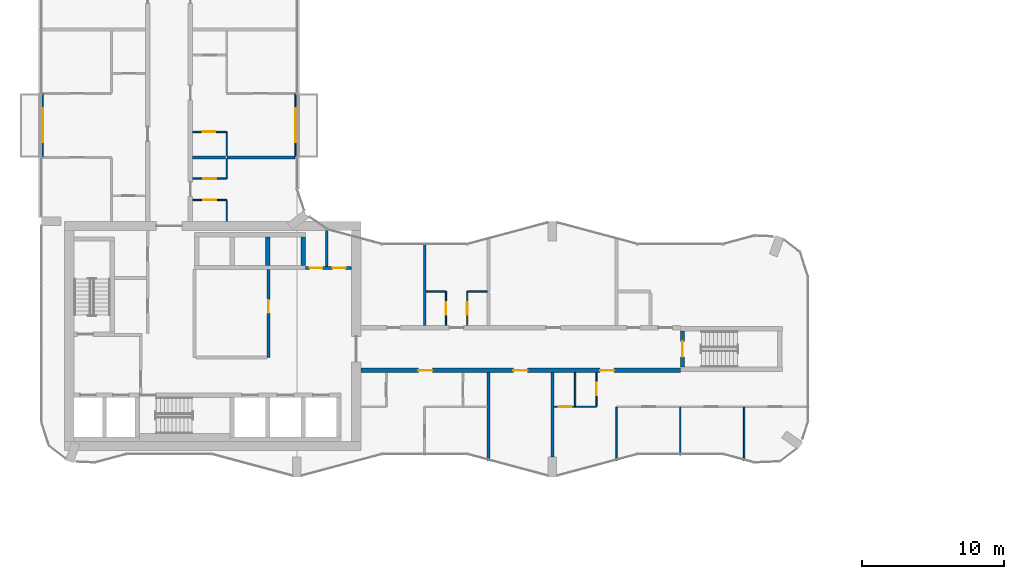
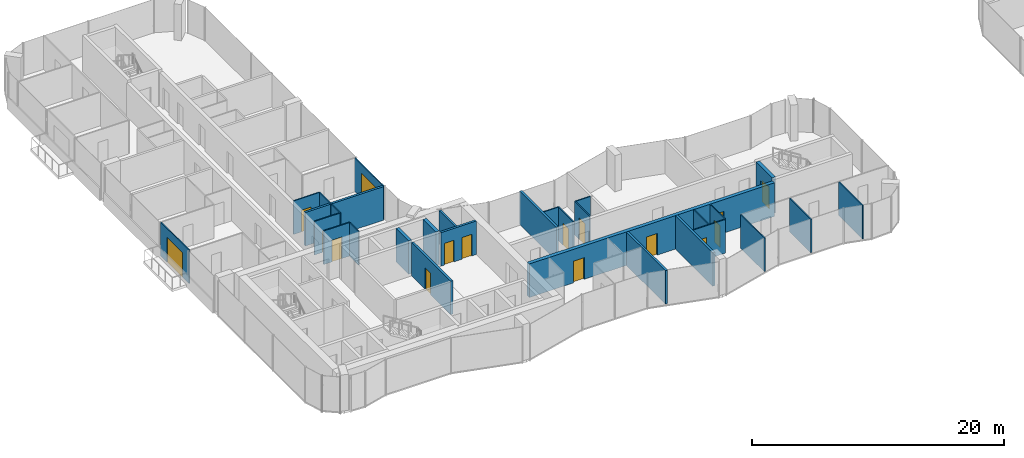
# One storey, part 14 of 22: 30 walls, 16 doors, 16 openings.
"""IFC4 building model written with IfcOpenShell, lengths in metres."""

from ifc_helpers import new_model, si_unit, direction, frame, frame_2d, origin, place, context, subcontext, project, spatial, rectangle, extrude, material, layer, layer_set, type_object, element, fill, save


model = new_model("IFC4")

# Units and contexts
model_context = context("Model", 3, precision=1e-05, world=origin(), true_north=direction((0.0, 1.0)))
body_context = subcontext(model_context, "Body", "Model", "MODEL_VIEW")
ifc_project = project(units=[si_unit("LENGTHUNIT", "METRE"), si_unit("AREAUNIT", "SQUARE_METRE"), si_unit("VOLUMEUNIT", "CUBIC_METRE"), si_unit("PLANEANGLEUNIT", "RADIAN"), si_unit("MASSUNIT", "GRAM", prefix="KILO")], contexts=[model_context])

# Site, building, storey
site_placement = place(None, origin())
site = spatial("IfcSite", under=ifc_project, at=site_placement, CompositionType="ELEMENT")
building_placement = place(site_placement, origin())
building = spatial("IfcBuilding", under=site, at=building_placement, Name="Plateau Cross Towers", CompositionType="ELEMENT")
storey_placement = place(building_placement, frame((0.0, 0.0, 113.300048828125)))
storey = spatial("IfcBuildingStorey", under=building, at=storey_placement, Name="L29", CompositionType="ELEMENT", Elevation=113.300048828125)

# Wall, opening, door
ifc_material_1 = material(Name="Aluminium framed glazing", Category="aluminium")
ifc_layer_1 = layer(ifc_material_1, 0.10009765625)
ifc_layer_set_1 = layer_set([ifc_layer_1], Name="Aluminium framed glazing")
wall_type_1 = type_object("IfcWallType", Name="Balcony screen wall 100", PredefinedType="STANDARD", material=ifc_layer_set_1)
wall_1_placement = place(storey_placement, frame((0.10009765625, 22.5, 0.0), z_axis=(0.0, 0.0, 1.0), x_axis=(0.0, 1.0, 0.0)))
wall_1 = element("IfcWall", 1, at=wall_1_placement, inside=storey, type_object=wall_type_1, Name="Balcony screen wall A-BAL-L29-01", PredefinedType="STANDARD", context=body_context, shape_type="SweptSolid", body=[
    extrude(rectangle(XDim=4.5, YDim=0.10009765625, at=frame_2d((2.25, 0.0))), origin(), (0.0, 0.0, 1.0), 3.25),
])
opening_1_placement = place(wall_1_placement, frame((1.050048828125, 0.0, 0.0)))
opening_1 = element("IfcOpeningElement", 2, at=opening_1_placement, cuts=wall_1, Name="Opening D-B24", PredefinedType="OPENING", context=body_context, shape_type="SweptSolid", body=[
    extrude(rectangle(XDim=2.39990234375, YDim=2.39990234375, at=frame_2d((1.199951171875, 1.199951171875))), frame((0.0, 0.06005859375, 0.0), z_axis=(0.0, -1.0, 0.0), x_axis=(1.0, 0.0, 0.0)), (0.0, 0.0, 1.0), 0.1201171875),
])
ifc_material_2 = material(Name="Aluminium frame, double glazing", Category="aluminium")
door_type_1 = type_object("IfcDoorType", Name="Balcony sliding door 2400", OperationType="NOTDEFINED", PredefinedType="DOOR", material=ifc_material_2)
door_1_placement = place(opening_1_placement, origin())
door_1 = element("IfcDoor", 3, at=door_1_placement, inside=storey, type_object=door_type_1, Name="Balcony door A-BAL-L29-01", OperationType="SINGLE_SWING_LEFT", OverallHeight=2.39990234375, OverallWidth=2.39990234375, PredefinedType="DOOR", context=body_context, shape_type="SweptSolid", body=[
    extrude(rectangle(XDim=2.39990234375, YDim=2.39990234375, at=frame_2d((1.199951171875, 1.199951171875))), frame((0.0, 0.02490234375, 0.0), z_axis=(0.0, -1.0, 0.0), x_axis=(1.0, 0.0, 0.0)), (0.0, 0.0, 1.0), 0.050048828125),
])
fill(opening_1, door_1)

wall_2_placement = place(storey_placement, frame((17.89990234375, 27.0, 0.0), z_axis=(0.0, 0.0, 1.0), x_axis=(0.0, -1.0, 0.0)))
wall_2 = element("IfcWall", 4, at=wall_2_placement, inside=storey, type_object=wall_type_1, Name="Balcony screen wall A-BAL-L29-03", PredefinedType="STANDARD", context=body_context, shape_type="SweptSolid", body=[
    extrude(rectangle(XDim=4.5, YDim=0.10009765625, at=frame_2d((2.25, 0.0))), origin(), (0.0, 0.0, 1.0), 3.25),
])
opening_2_placement = place(wall_2_placement, frame((1.050048828125, 0.0, 0.0)))
opening_2 = element("IfcOpeningElement", 5, at=opening_2_placement, cuts=wall_2, Name="Opening D-B24", PredefinedType="OPENING", context=body_context, shape_type="SweptSolid", body=[
    extrude(rectangle(XDim=2.39990234375, YDim=2.39990234375, at=frame_2d((1.199951171875, 1.199951171875))), frame((0.0, 0.06005859375, 0.0), z_axis=(0.0, -1.0, 0.0), x_axis=(1.0, 0.0, 0.0)), (0.0, 0.0, 1.0), 0.1201171875),
])
door_2_placement = place(opening_2_placement, origin())
door_2 = element("IfcDoor", 6, at=door_2_placement, inside=storey, type_object=door_type_1, Name="Balcony door A-BAL-L29-03", OperationType="SINGLE_SWING_LEFT", OverallHeight=2.39990234375, OverallWidth=2.39990234375, PredefinedType="DOOR", context=body_context, shape_type="SweptSolid", body=[
    extrude(rectangle(XDim=2.39990234375, YDim=2.39990234375, at=frame_2d((1.199951171875, 1.199951171875))), frame((0.0, 0.02490234375, 0.0), z_axis=(0.0, -1.0, 0.0), x_axis=(1.0, 0.0, 0.0)), (0.0, 0.0, 1.0), 0.050048828125),
])
fill(opening_2, door_2)

ifc_material_3 = material(Name="Concrete block, plastered both sides", Category="concrete")
ifc_layer_2 = layer(ifc_material_3, 0.199951171875)
ifc_layer_set_2 = layer_set([ifc_layer_2], Name="Concrete block, plastered both sides")
wall_type_2 = type_object("IfcWallType", Name="Core partition 200", PredefinedType="PARTITIONING", material=ifc_layer_set_2)
wall_3_placement = place(storey_placement, frame((16.0, 8.39990234375, 0.0), z_axis=(0.0, 0.0, 1.0), x_axis=(0.0, 1.0, 0.0)))
wall_3 = element("IfcWall", 7, at=wall_3_placement, inside=storey, type_object=wall_type_2, Name="Core partition", PredefinedType="PARTITIONING", context=body_context, shape_type="SweptSolid", body=[
    extrude(rectangle(XDim=6.2001953125, YDim=0.199951171875, at=frame_2d((3.10009765625, 0.0))), origin(), (0.0, 0.0, 1.0), 3.25),
])
opening_3_placement = place(wall_3_placement, frame((3.14990234375, 0.0, 0.0)))
opening_3 = element("IfcOpeningElement", 8, at=opening_3_placement, cuts=wall_3, Name="Opening RD1", PredefinedType="OPENING", context=body_context, shape_type="SweptSolid", body=[
    extrude(rectangle(XDim=0.89990234375, YDim=2.10009765625, at=frame_2d((0.449951171875, 1.050048828125))), frame((0.0, 0.10986328125, 0.0), z_axis=(0.0, -1.0, 0.0), x_axis=(1.0, 0.0, 0.0)), (0.0, 0.0, 1.0), 0.219970703125),
])
ifc_material_4 = material(Name="Timber, fire-resisting leaf", Category="wood")
door_type_2 = type_object("IfcDoorType", Name="Core service door 900", OperationType="NOTDEFINED", PredefinedType="DOOR", material=ifc_material_4)
door_3_placement = place(opening_3_placement, origin())
door_3 = element("IfcDoor", 9, at=door_3_placement, inside=storey, type_object=door_type_2, Name="Core service door RD1", OperationType="SINGLE_SWING_LEFT", OverallHeight=2.10009765625, OverallWidth=0.89990234375, PredefinedType="DOOR", context=body_context, shape_type="SweptSolid", body=[
    extrude(rectangle(XDim=0.89990234375, YDim=2.10009765625, at=frame_2d((0.449951171875, 1.050048828125))), frame((0.0, 0.02490234375, 0.0), z_axis=(0.0, -1.0, 0.0), x_axis=(1.0, 0.0, 0.0)), (0.0, 0.0, 1.0), 0.050048828125),
])
fill(opening_3, door_3)

# Wall, openings, doors
wall_4_placement = place(storey_placement, frame((18.60009765625, 14.699951171875, 0.0), z_axis=(0.0, 0.0, 1.0), x_axis=(1.0, 0.0, 0.0)))
wall_4 = element("IfcWall", 10, at=wall_4_placement, inside=storey, type_object=wall_type_2, Name="Core partition", PredefinedType="PARTITIONING", context=body_context, shape_type="SweptSolid", body=[
    extrude(rectangle(XDim=3.25, YDim=0.199951171875, at=frame_2d((1.625, 0.0))), origin(), (0.0, 0.0, 1.0), 3.25),
])
opening_4_placement = place(wall_4_placement, frame((0.300048828125, 0.0, 0.0)))
opening_4 = element("IfcOpeningElement", 11, at=opening_4_placement, cuts=wall_4, Name="Opening RD2", PredefinedType="OPENING", context=body_context, shape_type="SweptSolid", body=[
    extrude(rectangle(XDim=0.89990234375, YDim=2.10009765625, at=frame_2d((0.449951171875, 1.050048828125))), frame((0.0, 0.10986328125, 0.0), z_axis=(0.0, -1.0, 0.0), x_axis=(1.0, 0.0, 0.0)), (0.0, 0.0, 1.0), 0.219970703125),
])
opening_5_placement = place(wall_4_placement, frame((1.925048828125, 0.0, 0.0)))
opening_5 = element("IfcOpeningElement", 12, at=opening_5_placement, cuts=wall_4, Name="Opening RD2", PredefinedType="OPENING", context=body_context, shape_type="SweptSolid", body=[
    extrude(rectangle(XDim=0.89990234375, YDim=2.10009765625, at=frame_2d((0.449951171875, 1.050048828125))), frame((0.0, 0.10986328125, 0.0), z_axis=(0.0, -1.0, 0.0), x_axis=(1.0, 0.0, 0.0)), (0.0, 0.0, 1.0), 0.219970703125),
])
ifc_material_5 = material(Name="Steel, fire-resisting leaf", Category="steel")
door_type_3 = type_object("IfcDoorType", Name="Core riser door 900", OperationType="NOTDEFINED", PredefinedType="DOOR", material=ifc_material_5)
door_4_placement = place(opening_4_placement, origin())
door_4 = element("IfcDoor", 13, at=door_4_placement, inside=storey, type_object=door_type_3, Name="Core riser door RD2", OperationType="SINGLE_SWING_LEFT", OverallHeight=2.10009765625, OverallWidth=0.89990234375, PredefinedType="DOOR", context=body_context, shape_type="SweptSolid", body=[
    extrude(rectangle(XDim=0.89990234375, YDim=2.10009765625, at=frame_2d((0.449951171875, 1.050048828125))), frame((0.0, 0.02490234375, 0.0), z_axis=(0.0, -1.0, 0.0), x_axis=(1.0, 0.0, 0.0)), (0.0, 0.0, 1.0), 0.050048828125),
])
fill(opening_4, door_4)
door_5_placement = place(opening_5_placement, origin())
door_5 = element("IfcDoor", 14, at=door_5_placement, inside=storey, type_object=door_type_3, Name="Core riser door RD2", OperationType="SINGLE_SWING_LEFT", OverallHeight=2.10009765625, OverallWidth=0.89990234375, PredefinedType="DOOR", context=body_context, shape_type="SweptSolid", body=[
    extrude(rectangle(XDim=0.89990234375, YDim=2.10009765625, at=frame_2d((0.449951171875, 1.050048828125))), frame((0.0, 0.02490234375, 0.0), z_axis=(0.0, -1.0, 0.0), x_axis=(1.0, 0.0, 0.0)), (0.0, 0.0, 1.0), 0.050048828125),
])
fill(opening_5, door_5)

# Walls
wall_5_placement = place(storey_placement, frame((20.10009765625, 14.800048828125, 0.0), z_axis=(0.0, 0.0, 1.0), x_axis=(0.0, 1.0, 0.0)))
element("IfcWall", 15, at=wall_5_placement, inside=storey, type_object=wall_type_2, Name="Core partition", PredefinedType="PARTITIONING", context=body_context, shape_type="SweptSolid", body=[
    extrude(rectangle(XDim=2.550048828125, YDim=0.199951171875, at=frame_2d((1.27490234375, 0.0))), origin(), (0.0, 0.0, 1.0), 3.25),
])
ifc_material_6 = material(Name="Concrete C60/75", Category="concrete")
ifc_layer_3 = layer(ifc_material_6, 0.300048828125)
ifc_layer_set_3 = layer_set([ifc_layer_3], Name="Concrete C60/75")
wall_type_3 = type_object("IfcWallType", Name="Core shaft wall 300", PredefinedType="SHEAR", material=ifc_layer_set_3)
for number, where, z_axis, x_axis, name in (
    (16, (15.949951171875, 14.89990234375, 0.0), (0.0, 0.0, 1.0), (0.0, 1.0, 0.0), "A-nb-v3@L29"),
    (17, (18.449951171875, 14.89990234375, 0.0), (0.0, 0.0, 1.0), (0.0, 1.0, 0.0), "A-nb-v4@L29"),
):
    element("IfcWall", number, at=place(storey_placement, frame(where, z_axis=z_axis, x_axis=x_axis)), inside=storey, type_object=wall_type_3, Name=name, PredefinedType="SHEAR", context=body_context, shape_type="SweptSolid", body=[
        extrude(rectangle(XDim=2.0, YDim=0.300048828125, at=frame_2d((1.0, 0.0))), origin(), (0.0, 0.0, 1.0), 3.25),
    ])

# Wall, openings, doors
ifc_layer_4 = layer(ifc_material_6, 0.324951171875)
ifc_layer_set_4 = layer_set([ifc_layer_4], Name="Concrete C60/75")
wall_type_4 = type_object("IfcWallType", Name="Corridor wall 325", PredefinedType="SHEAR", material=ifc_layer_set_4)
wall_6_placement = place(storey_placement, frame((22.5, 7.5, 0.0), z_axis=(0.0, 0.0, 1.0), x_axis=(1.0, 0.0, 0.0)))
wall_6 = element("IfcWall", 18, at=wall_6_placement, inside=storey, type_object=wall_type_4, Name="A-cw-S1@L29", PredefinedType="SHEAR", context=body_context, shape_type="SweptSolid", body=[
    extrude(rectangle(XDim=22.5, YDim=0.324951171875, at=frame_2d((11.25, 0.0))), origin(), (0.0, 0.0, 1.0), 3.25),
])
opening_6_placement = place(wall_6_placement, frame((4.050048828125, 0.0, 0.0)))
opening_6 = element("IfcOpeningElement", 19, at=opening_6_placement, cuts=wall_6, Name="Opening 29-01", PredefinedType="OPENING", context=body_context, shape_type="SweptSolid", body=[
    extrude(rectangle(XDim=1.0, YDim=2.10009765625, at=frame_2d((0.5, 1.050048828125))), frame((0.0, 0.17236328125, 0.0), z_axis=(0.0, -1.0, 0.0), x_axis=(1.0, 0.0, 0.0)), (0.0, 0.0, 1.0), 0.344970703125),
])
opening_7_placement = place(wall_6_placement, frame((10.75, 0.0, 0.0)))
opening_7 = element("IfcOpeningElement", 20, at=opening_7_placement, cuts=wall_6, Name="Opening 29-02", PredefinedType="OPENING", context=body_context, shape_type="SweptSolid", body=[
    extrude(rectangle(XDim=1.0, YDim=2.10009765625, at=frame_2d((0.5, 1.050048828125))), frame((0.0, 0.17236328125, 0.0), z_axis=(0.0, -1.0, 0.0), x_axis=(1.0, 0.0, 0.0)), (0.0, 0.0, 1.0), 0.344970703125),
])
opening_8_placement = place(wall_6_placement, frame((16.85009765625, 0.0, 0.0)))
opening_8 = element("IfcOpeningElement", 21, at=opening_8_placement, cuts=wall_6, Name="Opening 29-03", PredefinedType="OPENING", context=body_context, shape_type="SweptSolid", body=[
    extrude(rectangle(XDim=1.0, YDim=2.10009765625, at=frame_2d((0.5, 1.050048828125))), frame((0.0, 0.17236328125, 0.0), z_axis=(0.0, -1.0, 0.0), x_axis=(1.0, 0.0, 0.0)), (0.0, 0.0, 1.0), 0.344970703125),
])
door_type_4 = type_object("IfcDoorType", Name="Flat entrance door 1000", OperationType="NOTDEFINED", PredefinedType="DOOR", material=ifc_material_4)
door_6_placement = place(opening_6_placement, origin())
door_6 = element("IfcDoor", 22, at=door_6_placement, inside=storey, type_object=door_type_4, Name="Door 29-01", OperationType="SINGLE_SWING_LEFT", OverallHeight=2.10009765625, OverallWidth=1.0, PredefinedType="DOOR", context=body_context, shape_type="SweptSolid", body=[
    extrude(rectangle(XDim=1.0, YDim=2.10009765625, at=frame_2d((0.5, 1.050048828125))), frame((0.0, 0.02490234375, 0.0), z_axis=(0.0, -1.0, 0.0), x_axis=(1.0, 0.0, 0.0)), (0.0, 0.0, 1.0), 0.050048828125),
])
fill(opening_6, door_6)
door_7_placement = place(opening_7_placement, origin())
door_7 = element("IfcDoor", 23, at=door_7_placement, inside=storey, type_object=door_type_4, Name="Door 29-02", OperationType="SINGLE_SWING_LEFT", OverallHeight=2.10009765625, OverallWidth=1.0, PredefinedType="DOOR", context=body_context, shape_type="SweptSolid", body=[
    extrude(rectangle(XDim=1.0, YDim=2.10009765625, at=frame_2d((0.5, 1.050048828125))), frame((0.0, 0.02490234375, 0.0), z_axis=(0.0, -1.0, 0.0), x_axis=(1.0, 0.0, 0.0)), (0.0, 0.0, 1.0), 0.050048828125),
])
fill(opening_7, door_7)
door_8_placement = place(opening_8_placement, origin())
door_8 = element("IfcDoor", 24, at=door_8_placement, inside=storey, type_object=door_type_4, Name="Door 29-03", OperationType="SINGLE_SWING_RIGHT", OverallHeight=2.10009765625, OverallWidth=1.0, PredefinedType="DOOR", context=body_context, shape_type="SweptSolid", body=[
    extrude(rectangle(XDim=1.0, YDim=2.10009765625, at=frame_2d((0.5, 1.050048828125))), frame((0.0, 0.02490234375, 0.0), z_axis=(0.0, -1.0, 0.0), x_axis=(1.0, 0.0, 0.0)), (0.0, 0.0, 1.0), 0.050048828125),
])
fill(opening_8, door_8)

# Wall, opening, door
ifc_material_7 = material(Name="Gypsum board on steel studs", Category="steel")
ifc_layer_5 = layer(ifc_material_7, 0.10009765625)
ifc_layer_set_5 = layer_set([ifc_layer_5], Name="Gypsum board on steel studs")
wall_type_5 = type_object("IfcWallType", Name="Flat partition 100", PredefinedType="PARTITIONING", material=ifc_layer_set_5)
wall_7_placement = place(storey_placement, frame((36.10009765625, 4.9375, 0.0), z_axis=(0.0, 0.0, 1.0), x_axis=(1.0, 0.0, 0.0)))
wall_7 = element("IfcWall", 25, at=wall_7_placement, inside=storey, type_object=wall_type_5, Name="Partition wall", PredefinedType="PARTITIONING", context=body_context, shape_type="SweptSolid", body=[
    extrude(rectangle(XDim=3.0, YDim=0.10009765625, at=frame_2d((1.5, 0.0))), origin(), (0.0, 0.0, 1.0), 3.25),
])
opening_9_placement = place(wall_7_placement, frame((0.35009765625, 0.0, 0.0)))
opening_9 = element("IfcOpeningElement", 26, at=opening_9_placement, cuts=wall_7, Name="Opening 29-21", PredefinedType="OPENING", context=body_context, shape_type="SweptSolid", body=[
    extrude(rectangle(XDim=0.89990234375, YDim=2.10009765625, at=frame_2d((0.449951171875, 1.050048828125))), frame((0.0, 0.06005859375, 0.0), z_axis=(0.0, -1.0, 0.0), x_axis=(1.0, 0.0, 0.0)), (0.0, 0.0, 1.0), 0.1201171875),
])
ifc_material_8 = material(Name="Timber leaf", Category="wood")
door_type_5 = type_object("IfcDoorType", Name="Flat room door 900", OperationType="NOTDEFINED", PredefinedType="DOOR", material=ifc_material_8)
door_9_placement = place(opening_9_placement, origin())
door_9 = element("IfcDoor", 27, at=door_9_placement, inside=storey, type_object=door_type_5, Name="Door 29-21", OperationType="SINGLE_SWING_LEFT", OverallHeight=2.10009765625, OverallWidth=0.89990234375, PredefinedType="DOOR", context=body_context, shape_type="SweptSolid", body=[
    extrude(rectangle(XDim=0.89990234375, YDim=2.10009765625, at=frame_2d((0.449951171875, 1.050048828125))), frame((0.0, 0.02490234375, 0.0), z_axis=(0.0, -1.0, 0.0), x_axis=(1.0, 0.0, 0.0)), (0.0, 0.0, 1.0), 0.050048828125),
])
fill(opening_9, door_9)

# Walls
for number, where, z_axis, x_axis, name in (
    (28, (28.449951171875, 13.0625, 0.0), (0.0, 0.0, 1.0), (-1.0, 0.0, 0.0), "Partition wall"),
    (29, (31.39990234375, 13.0625, 0.0), (0.0, 0.0, 1.0), (-1.0, 0.0, 0.0), "Partition wall"),
):
    element("IfcWall", number, at=place(storey_placement, frame(where, z_axis=z_axis, x_axis=x_axis)), inside=storey, type_object=wall_type_5, Name=name, PredefinedType="PARTITIONING", context=body_context, shape_type="SweptSolid", body=[
        extrude(rectangle(XDim=1.349853515625, YDim=0.10009765625, at=frame_2d((0.6748046875, 0.0))), origin(), (0.0, 0.0, 1.0), 3.25),
    ])

# Wall, opening, door
wall_8_placement = place(storey_placement, frame((13.0625, 19.5, 0.0), z_axis=(0.0, 0.0, 1.0), x_axis=(-1.0, 0.0, 0.0)))
wall_8 = element("IfcWall", 30, at=wall_8_placement, inside=storey, type_object=wall_type_5, Name="Partition wall", PredefinedType="PARTITIONING", context=body_context, shape_type="SweptSolid", body=[
    extrude(rectangle(XDim=2.39990234375, YDim=0.10009765625, at=frame_2d((1.199951171875, 0.0))), origin(), (0.0, 0.0, 1.0), 3.25),
])
opening_10_placement = place(wall_8_placement, frame((0.75, 0.0, 0.0)))
opening_10 = element("IfcOpeningElement", 31, at=opening_10_placement, cuts=wall_8, Name="Opening 29-37", PredefinedType="OPENING", context=body_context, shape_type="SweptSolid", body=[
    extrude(rectangle(XDim=0.89990234375, YDim=2.10009765625, at=frame_2d((0.449951171875, 1.050048828125))), frame((0.0, 0.06005859375, 0.0), z_axis=(0.0, -1.0, 0.0), x_axis=(1.0, 0.0, 0.0)), (0.0, 0.0, 1.0), 0.1201171875),
])
door_10_placement = place(opening_10_placement, origin())
door_10 = element("IfcDoor", 32, at=door_10_placement, inside=storey, type_object=door_type_5, Name="Door 29-37", OperationType="SINGLE_SWING_LEFT", OverallHeight=2.10009765625, OverallWidth=0.89990234375, PredefinedType="DOOR", context=body_context, shape_type="SweptSolid", body=[
    extrude(rectangle(XDim=0.89990234375, YDim=2.10009765625, at=frame_2d((0.449951171875, 1.050048828125))), frame((0.0, 0.02490234375, 0.0), z_axis=(0.0, -1.0, 0.0), x_axis=(1.0, 0.0, 0.0)), (0.0, 0.0, 1.0), 0.050048828125),
])
fill(opening_10, door_10)

wall_9_placement = place(storey_placement, frame((10.66259765625, 21.0, 0.0), z_axis=(0.0, 0.0, 1.0), x_axis=(1.0, 0.0, 0.0)))
wall_9 = element("IfcWall", 33, at=wall_9_placement, inside=storey, type_object=wall_type_5, Name="Partition wall", PredefinedType="PARTITIONING", context=body_context, shape_type="SweptSolid", body=[
    extrude(rectangle(XDim=2.349853515625, YDim=0.10009765625, at=frame_2d((1.1748046875, 0.0))), origin(), (0.0, 0.0, 1.0), 3.25),
])
opening_11_placement = place(wall_9_placement, frame((0.75, 0.0, 0.0)))
opening_11 = element("IfcOpeningElement", 34, at=opening_11_placement, cuts=wall_9, Name="Opening 29-38", PredefinedType="OPENING", context=body_context, shape_type="SweptSolid", body=[
    extrude(rectangle(XDim=0.89990234375, YDim=2.10009765625, at=frame_2d((0.449951171875, 1.050048828125))), frame((0.0, 0.06005859375, 0.0), z_axis=(0.0, -1.0, 0.0), x_axis=(1.0, 0.0, 0.0)), (0.0, 0.0, 1.0), 0.1201171875),
])
door_11_placement = place(opening_11_placement, origin())
door_11 = element("IfcDoor", 35, at=door_11_placement, inside=storey, type_object=door_type_5, Name="Door 29-38", OperationType="SINGLE_SWING_RIGHT", OverallHeight=2.10009765625, OverallWidth=0.89990234375, PredefinedType="DOOR", context=body_context, shape_type="SweptSolid", body=[
    extrude(rectangle(XDim=0.89990234375, YDim=2.10009765625, at=frame_2d((0.449951171875, 1.050048828125))), frame((0.0, 0.02490234375, 0.0), z_axis=(0.0, -1.0, 0.0), x_axis=(1.0, 0.0, 0.0)), (0.0, 0.0, 1.0), 0.050048828125),
])
fill(opening_11, door_11)

wall_10_placement = place(storey_placement, frame((13.012451171875, 24.300048828125, 0.0), z_axis=(0.0, 0.0, 1.0), x_axis=(-1.0, 0.0, 0.0)))
wall_10 = element("IfcWall", 36, at=wall_10_placement, inside=storey, type_object=wall_type_5, Name="Partition wall", PredefinedType="PARTITIONING", context=body_context, shape_type="SweptSolid", body=[
    extrude(rectangle(XDim=2.349853515625, YDim=0.10009765625, at=frame_2d((1.1748046875, 0.0))), origin(), (0.0, 0.0, 1.0), 3.25),
])
opening_12_placement = place(wall_10_placement, frame((0.75, 0.0, 0.0)))
opening_12 = element("IfcOpeningElement", 37, at=opening_12_placement, cuts=wall_10, Name="Opening 29-39", PredefinedType="OPENING", context=body_context, shape_type="SweptSolid", body=[
    extrude(rectangle(XDim=0.89990234375, YDim=2.10009765625, at=frame_2d((0.449951171875, 1.050048828125))), frame((0.0, 0.06005859375, 0.0), z_axis=(0.0, -1.0, 0.0), x_axis=(1.0, 0.0, 0.0)), (0.0, 0.0, 1.0), 0.1201171875),
])
door_12_placement = place(opening_12_placement, origin())
door_12 = element("IfcDoor", 38, at=door_12_placement, inside=storey, type_object=door_type_5, Name="Door 29-39", OperationType="SINGLE_SWING_RIGHT", OverallHeight=2.10009765625, OverallWidth=0.89990234375, PredefinedType="DOOR", context=body_context, shape_type="SweptSolid", body=[
    extrude(rectangle(XDim=0.89990234375, YDim=2.10009765625, at=frame_2d((0.449951171875, 1.050048828125))), frame((0.0, 0.02490234375, 0.0), z_axis=(0.0, -1.0, 0.0), x_axis=(1.0, 0.0, 0.0)), (0.0, 0.0, 1.0), 0.050048828125),
])
fill(opening_12, door_12)

# Walls
wall_11_placement = place(storey_placement, frame((13.0625, 18.0, 0.0), z_axis=(0.0, 0.0, 1.0), x_axis=(0.0, 1.0, 0.0)))
element("IfcWall", 39, at=wall_11_placement, inside=storey, type_object=wall_type_5, Name="Partition wall", PredefinedType="PARTITIONING", context=body_context, shape_type="SweptSolid", body=[
    extrude(rectangle(XDim=1.449951171875, YDim=0.10009765625, at=frame_2d((0.72509765625, 0.0))), origin(), (0.0, 0.0, 1.0), 3.25),
])
wall_12_placement = place(storey_placement, frame((13.0625, 21.0, 0.0), z_axis=(0.0, 0.0, 1.0), x_axis=(0.0, 1.0, 0.0)))
element("IfcWall", 40, at=wall_12_placement, inside=storey, type_object=wall_type_5, Name="Partition wall", PredefinedType="PARTITIONING", context=body_context, shape_type="SweptSolid", body=[
    extrude(rectangle(XDim=1.39990234375, YDim=0.10009765625, at=frame_2d((0.699951171875, 0.0))), origin(), (0.0, 0.0, 1.0), 3.25),
])
wall_13_placement = place(storey_placement, frame((13.0625, 22.60009765625, 0.0), z_axis=(0.0, 0.0, 1.0), x_axis=(0.0, 1.0, 0.0)))
element("IfcWall", 41, at=wall_13_placement, inside=storey, type_object=wall_type_5, Name="Partition wall", PredefinedType="PARTITIONING", context=body_context, shape_type="SweptSolid", body=[
    extrude(rectangle(XDim=1.699951171875, YDim=0.10009765625, at=frame_2d((0.85009765625, 0.0))), origin(), (0.0, 0.0, 1.0), 3.25),
])

# Wall, opening, door
wall_14_placement = place(storey_placement, frame((28.5, 10.66259765625, 0.0), z_axis=(0.0, 0.0, 1.0), x_axis=(0.0, 1.0, 0.0)))
wall_14 = element("IfcWall", 42, at=wall_14_placement, inside=storey, type_object=wall_type_5, Name="Partition wall", PredefinedType="PARTITIONING", context=body_context, shape_type="SweptSolid", body=[
    extrude(rectangle(XDim=2.39990234375, YDim=0.10009765625, at=frame_2d((1.199951171875, 0.0))), origin(), (0.0, 0.0, 1.0), 3.25),
])
opening_13_placement = place(wall_14_placement, frame((0.75, 0.0, 0.0)))
opening_13 = element("IfcOpeningElement", 43, at=opening_13_placement, cuts=wall_14, Name="Opening 29-26", PredefinedType="OPENING", context=body_context, shape_type="SweptSolid", body=[
    extrude(rectangle(XDim=0.89990234375, YDim=2.10009765625, at=frame_2d((0.449951171875, 1.050048828125))), frame((0.0, 0.06005859375, 0.0), z_axis=(0.0, -1.0, 0.0), x_axis=(1.0, 0.0, 0.0)), (0.0, 0.0, 1.0), 0.1201171875),
])
door_13_placement = place(opening_13_placement, origin())
door_13 = element("IfcDoor", 44, at=door_13_placement, inside=storey, type_object=door_type_5, Name="Door 29-26", OperationType="SINGLE_SWING_LEFT", OverallHeight=2.10009765625, OverallWidth=0.89990234375, PredefinedType="DOOR", context=body_context, shape_type="SweptSolid", body=[
    extrude(rectangle(XDim=0.89990234375, YDim=2.10009765625, at=frame_2d((0.449951171875, 1.050048828125))), frame((0.0, 0.02490234375, 0.0), z_axis=(0.0, -1.0, 0.0), x_axis=(1.0, 0.0, 0.0)), (0.0, 0.0, 1.0), 0.050048828125),
])
fill(opening_13, door_13)

wall_15_placement = place(storey_placement, frame((30.0, 13.0625, 0.0), z_axis=(0.0, 0.0, 1.0), x_axis=(0.0, -1.0, 0.0)))
wall_15 = element("IfcWall", 45, at=wall_15_placement, inside=storey, type_object=wall_type_5, Name="Partition wall", PredefinedType="PARTITIONING", context=body_context, shape_type="SweptSolid", body=[
    extrude(rectangle(XDim=2.39990234375, YDim=0.10009765625, at=frame_2d((1.199951171875, 0.0))), origin(), (0.0, 0.0, 1.0), 3.25),
])
opening_14_placement = place(wall_15_placement, frame((0.75, 0.0, 0.0)))
opening_14 = element("IfcOpeningElement", 46, at=opening_14_placement, cuts=wall_15, Name="Opening 29-27", PredefinedType="OPENING", context=body_context, shape_type="SweptSolid", body=[
    extrude(rectangle(XDim=0.89990234375, YDim=2.10009765625, at=frame_2d((0.449951171875, 1.050048828125))), frame((0.0, 0.06005859375, 0.0), z_axis=(0.0, -1.0, 0.0), x_axis=(1.0, 0.0, 0.0)), (0.0, 0.0, 1.0), 0.1201171875),
])
door_14_placement = place(opening_14_placement, origin())
door_14 = element("IfcDoor", 47, at=door_14_placement, inside=storey, type_object=door_type_5, Name="Door 29-27", OperationType="SINGLE_SWING_LEFT", OverallHeight=2.10009765625, OverallWidth=0.89990234375, PredefinedType="DOOR", context=body_context, shape_type="SweptSolid", body=[
    extrude(rectangle(XDim=0.89990234375, YDim=2.10009765625, at=frame_2d((0.449951171875, 1.050048828125))), frame((0.0, 0.02490234375, 0.0), z_axis=(0.0, -1.0, 0.0), x_axis=(1.0, 0.0, 0.0)), (0.0, 0.0, 1.0), 0.050048828125),
])
fill(opening_14, door_14)

# Wall
wall_16_placement = place(storey_placement, frame((37.60009765625, 4.987548828125, 0.0), z_axis=(0.0, 0.0, 1.0), x_axis=(0.0, 1.0, 0.0)))
element("IfcWall", 48, at=wall_16_placement, inside=storey, type_object=wall_type_5, Name="Partition wall", PredefinedType="PARTITIONING", context=body_context, shape_type="SweptSolid", body=[
    extrude(rectangle(XDim=2.349853515625, YDim=0.10009765625, at=frame_2d((1.1748046875, 0.0))), origin(), (0.0, 0.0, 1.0), 3.25),
])

# Wall, opening, door
wall_17_placement = place(storey_placement, frame((39.10009765625, 4.987548828125, 0.0), z_axis=(0.0, 0.0, 1.0), x_axis=(0.0, 1.0, 0.0)))
wall_17 = element("IfcWall", 49, at=wall_17_placement, inside=storey, type_object=wall_type_5, Name="Partition wall", PredefinedType="PARTITIONING", context=body_context, shape_type="SweptSolid", body=[
    extrude(rectangle(XDim=2.349853515625, YDim=0.10009765625, at=frame_2d((1.1748046875, 0.0))), origin(), (0.0, 0.0, 1.0), 3.25),
])
opening_15_placement = place(wall_17_placement, frame((0.75, 0.0, 0.0)))
opening_15 = element("IfcOpeningElement", 50, at=opening_15_placement, cuts=wall_17, Name="Opening 29-22", PredefinedType="OPENING", context=body_context, shape_type="SweptSolid", body=[
    extrude(rectangle(XDim=0.89990234375, YDim=2.10009765625, at=frame_2d((0.449951171875, 1.050048828125))), frame((0.0, 0.06005859375, 0.0), z_axis=(0.0, -1.0, 0.0), x_axis=(1.0, 0.0, 0.0)), (0.0, 0.0, 1.0), 0.1201171875),
])
door_15_placement = place(opening_15_placement, origin())
door_15 = element("IfcDoor", 51, at=door_15_placement, inside=storey, type_object=door_type_5, Name="Door 29-22", OperationType="SINGLE_SWING_RIGHT", OverallHeight=2.10009765625, OverallWidth=0.89990234375, PredefinedType="DOOR", context=body_context, shape_type="SweptSolid", body=[
    extrude(rectangle(XDim=0.89990234375, YDim=2.10009765625, at=frame_2d((0.449951171875, 1.050048828125))), frame((0.0, 0.02490234375, 0.0), z_axis=(0.0, -1.0, 0.0), x_axis=(1.0, 0.0, 0.0)), (0.0, 0.0, 1.0), 0.050048828125),
])
fill(opening_15, door_15)

# Walls
wall_18_placement = place(storey_placement, frame((40.5, 4.887451171875, 0.0), z_axis=(0.0, 0.0, 1.0), x_axis=(0.0, -1.0, 0.0)))
element("IfcWall", 52, at=wall_18_placement, inside=storey, type_object=wall_type_5, Name="Partition wall", PredefinedType="PARTITIONING", context=body_context, shape_type="SweptSolid", body=[
    extrude(rectangle(XDim=3.76513671875, YDim=0.10009765625, at=frame_2d((1.882568359375, 0.0))), origin(), (0.0, 0.0, 1.0), 3.25),
])
wall_19_placement = place(storey_placement, frame((45.0, 1.52685546875, 0.0), z_axis=(0.0, 0.0, 1.0), x_axis=(0.0, 1.0, 0.0)))
element("IfcWall", 53, at=wall_19_placement, inside=storey, type_object=wall_type_5, Name="Partition wall", PredefinedType="PARTITIONING", context=body_context, shape_type="SweptSolid", body=[
    extrude(rectangle(XDim=3.360595703125, YDim=0.10009765625, at=frame_2d((1.68017578125, 0.0))), origin(), (0.0, 0.0, 1.0), 3.25),
])
wall_20_placement = place(storey_placement, frame((49.5, 1.122314453125, 0.0), z_axis=(0.0, 0.0, 1.0), x_axis=(0.0, 1.0, 0.0)))
element("IfcWall", 54, at=wall_20_placement, inside=storey, type_object=wall_type_5, Name="Partition wall", PredefinedType="PARTITIONING", context=body_context, shape_type="SweptSolid", body=[
    extrude(rectangle(XDim=3.76513671875, YDim=0.10009765625, at=frame_2d((1.882568359375, 0.0))), origin(), (0.0, 0.0, 1.0), 3.25),
])
ifc_material_9 = material(Name="Gypsum board on steel studs, two layers each side", Category="steel")
ifc_layer_6 = layer(ifc_material_9, 0.199951171875)
ifc_layer_set_6 = layer_set([ifc_layer_6], Name="Gypsum board on steel studs, two layers each side")
wall_type_6 = type_object("IfcWallType", Name="Flat party wall 200", PredefinedType="PARTITIONING", material=ifc_layer_set_6)
wall_21_placement = place(storey_placement, frame((12.96240234375, 22.5, 0.0), z_axis=(0.0, 0.0, 1.0), x_axis=(-1.0, 0.0, 0.0)))
element("IfcWall", 55, at=wall_21_placement, inside=storey, type_object=wall_type_6, Name="Party wall", PredefinedType="PARTITIONING", context=body_context, shape_type="SweptSolid", body=[
    extrude(rectangle(XDim=2.2998046875, YDim=0.199951171875, at=frame_2d((1.14990234375, 0.0))), origin(), (0.0, 0.0, 1.0), 3.25),
])
wall_22_placement = place(storey_placement, frame((13.0625, 22.5, 0.0), z_axis=(0.0, 0.0, 1.0), x_axis=(1.0, 0.0, 0.0)))
element("IfcWall", 56, at=wall_22_placement, inside=storey, type_object=wall_type_6, Name="Party wall", PredefinedType="PARTITIONING", context=body_context, shape_type="SweptSolid", body=[
    extrude(rectangle(XDim=4.78759765625, YDim=0.199951171875, at=frame_2d((2.393798828125, 0.0))), origin(), (0.0, 0.0, 1.0), 3.25),
])
wall_23_placement = place(storey_placement, frame((27.0, 10.66259765625, 0.0), z_axis=(0.0, 0.0, 1.0), x_axis=(0.0, 1.0, 0.0)))
element("IfcWall", 57, at=wall_23_placement, inside=storey, type_object=wall_type_6, Name="Party wall", PredefinedType="PARTITIONING", context=body_context, shape_type="SweptSolid", body=[
    extrude(rectangle(XDim=5.810546875, YDim=0.199951171875, at=frame_2d((2.9052734375, 0.0))), origin(), (0.0, 0.0, 1.0), 3.25),
])
wall_24_placement = place(storey_placement, frame((31.5, 1.122314453125, 0.0), z_axis=(0.0, 0.0, 1.0), x_axis=(0.0, 1.0, 0.0)))
element("IfcWall", 58, at=wall_24_placement, inside=storey, type_object=wall_type_6, Name="Party wall", PredefinedType="PARTITIONING", context=body_context, shape_type="SweptSolid", body=[
    extrude(rectangle(XDim=6.215087890625, YDim=0.199951171875, at=frame_2d((3.107421875, 0.0))), origin(), (0.0, 0.0, 1.0), 3.25),
])
wall_25_placement = place(storey_placement, frame((36.0, 1.39990234375, 0.0), z_axis=(0.0, 0.0, 1.0), x_axis=(0.0, 1.0, 0.0)))
element("IfcWall", 59, at=wall_25_placement, inside=storey, type_object=wall_type_6, Name="Party wall", PredefinedType="PARTITIONING", context=body_context, shape_type="SweptSolid", body=[
    extrude(rectangle(XDim=5.9375, YDim=0.199951171875, at=frame_2d((2.96875, 0.0))), origin(), (0.0, 0.0, 1.0), 3.25),
])

# Wall, opening, door
ifc_layer_7 = layer(ifc_material_6, 0.300048828125)
ifc_layer_set_7 = layer_set([ifc_layer_7], Name="Concrete C60/75")
wall_type_7 = type_object("IfcWallType", Name="Stair tower wall 300", PredefinedType="SHEAR", material=ifc_layer_set_7)
wall_26_placement = place(storey_placement, frame((45.14990234375, 7.72509765625, 0.0), z_axis=(0.0, 0.0, 1.0), x_axis=(0.0, 1.0, 0.0)))
wall_26 = element("IfcWall", 60, at=wall_26_placement, inside=storey, type_object=wall_type_7, Name="A-end-E-W@L29", PredefinedType="SHEAR", context=body_context, shape_type="SweptSolid", body=[
    extrude(rectangle(XDim=2.5498046875, YDim=0.300048828125, at=frame_2d((1.27490234375, 0.0))), origin(), (0.0, 0.0, 1.0), 3.5),
])
opening_16_placement = place(wall_26_placement, frame((0.72509765625, 0.0, 0.0)))
opening_16 = element("IfcOpeningElement", 61, at=opening_16_placement, cuts=wall_26, Name="Opening SD", PredefinedType="OPENING", context=body_context, shape_type="SweptSolid", body=[
    extrude(rectangle(XDim=1.10009765625, YDim=2.10009765625, at=frame_2d((0.550048828125, 1.050048828125))), frame((0.0, 0.159912109375, 0.0), z_axis=(0.0, -1.0, 0.0), x_axis=(1.0, 0.0, 0.0)), (0.0, 0.0, 1.0), 0.320068359375),
])
door_type_6 = type_object("IfcDoorType", Name="Stair door 1100", OperationType="NOTDEFINED", PredefinedType="DOOR", material=ifc_material_5)
door_16_placement = place(opening_16_placement, origin())
door_16 = element("IfcDoor", 62, at=door_16_placement, inside=storey, type_object=door_type_6, Name="Stair door SD", OperationType="SINGLE_SWING_LEFT", OverallHeight=2.10009765625, OverallWidth=1.10009765625, PredefinedType="DOOR", context=body_context, shape_type="SweptSolid", body=[
    extrude(rectangle(XDim=1.10009765625, YDim=2.10009765625, at=frame_2d((0.550048828125, 1.050048828125))), frame((0.0, 0.02490234375, 0.0), z_axis=(0.0, -1.0, 0.0), x_axis=(1.0, 0.0, 0.0)), (0.0, 0.0, 1.0), 0.050048828125),
])
fill(opening_16, door_16)

save(model, "model.ifc")
